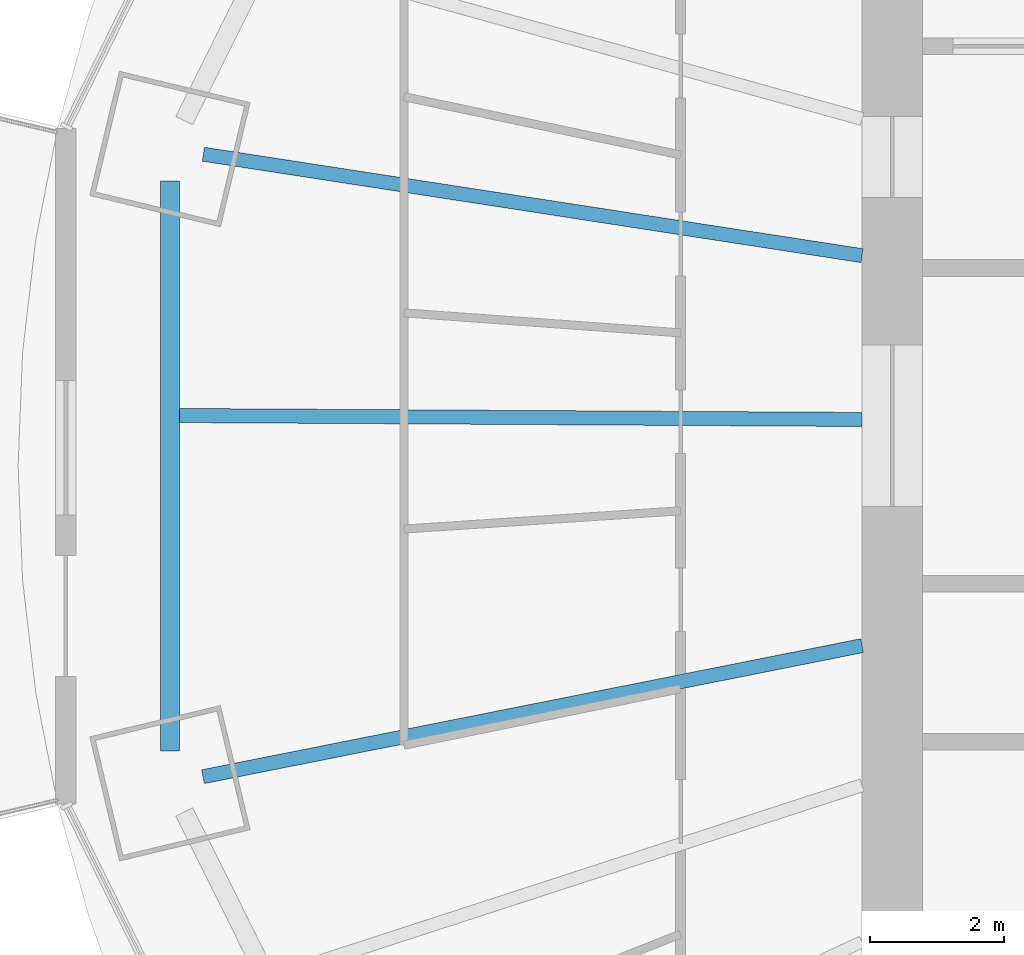
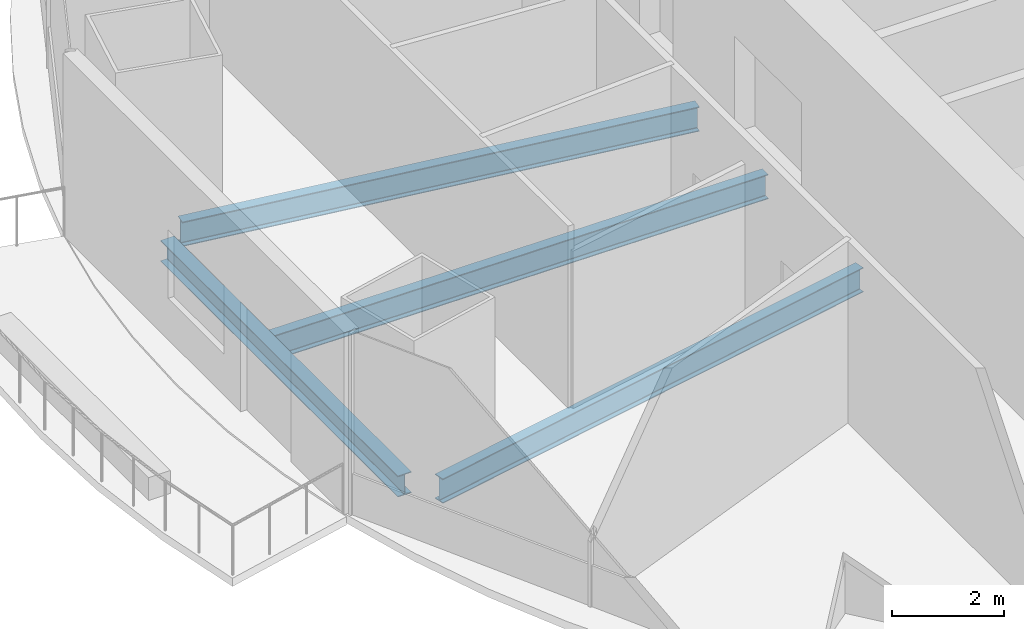
# One storey, part 3 of 19: 4 beams.
"""IFC4 building model written with IfcOpenShell, lengths in metres."""

from ifc_helpers import new_model, si_unit, direction, frame, origin, origin_2d, place, context, subcontext, project, spatial, i_section, extrude, material, material_profile, profile_set, type_object, element, save


model = new_model("IFC4")

# Units and contexts
model_context = context("Model", 3, precision=1e-05, world=origin(), true_north=direction((0.0, 1.0)))
body_context = subcontext(model_context, "Body", "Model", "MODEL_VIEW")
ifc_project = project(units=[si_unit("LENGTHUNIT", "METRE"), si_unit("AREAUNIT", "SQUARE_METRE"), si_unit("VOLUMEUNIT", "CUBIC_METRE"), si_unit("PLANEANGLEUNIT", "RADIAN"), si_unit("MASSUNIT", "GRAM", prefix="KILO")], contexts=[model_context])

# Site, building, storey
site_placement = place(None, origin())
site = spatial("IfcSite", under=ifc_project, at=site_placement, CompositionType="ELEMENT")
building_placement = place(site_placement, origin())
building = spatial("IfcBuilding", under=site, at=building_placement, Name="Marenthal Gate Tower", CompositionType="ELEMENT")
storey_placement = place(building_placement, frame((0.0, 0.0, 223.300048828125)))
storey = spatial("IfcBuildingStorey", under=building, at=storey_placement, Name="L49", CompositionType="ELEMENT", Elevation=223.300048828125)

# Beams
ifc_material_1 = material(Name="Steel S355", Category="steel")
ifc_material_profile_1 = material_profile(ifc_material_1, i_section(OverallWidth=0.279052734375, OverallDepth=0.4619140625, WebThickness=0.0107421875, FlangeThickness=0.017333984375, FilletRadius=0.010009765625, at=origin_2d()), Name="W460X113")
ifc_profile_set_1 = profile_set([ifc_material_profile_1], Name="Steel S355")
beam_type_1 = type_object("IfcBeamType", Name="W460X113 beam", PredefinedType="BEAM", material=ifc_profile_set_1)
beam_1_placement = place(storey_placement, frame((-26.748779296875, 3.6416015625, -0.4111328125), z_axis=(0.0, -1.0, 0.0), x_axis=(1.0, 0.0, 0.0)))
element("IfcBeam", 1, at=beam_1_placement, inside=storey, type_object=beam_type_1, Name="BM-L49-48", PredefinedType="BEAM", context=body_context, shape_type="SweptSolid", body=[
    extrude(i_section(OverallWidth=0.279052734375, OverallDepth=0.4619140625, WebThickness=0.0107421875, FlangeThickness=0.017333984375, FilletRadius=0.010009765625, at=origin_2d()), origin(), (0.0, 0.0, 1.0), 8.483154296875),
])
ifc_material_2 = material(Name="Steel S355", Category="steel")
ifc_material_profile_2 = material_profile(ifc_material_2, i_section(OverallWidth=0.2099609375, OverallDepth=0.535888671875, WebThickness=0.010986328125, FlangeThickness=0.017333984375, FilletRadius=0.0126953125, at=origin_2d()), Name="W530X101")
ifc_profile_set_2 = profile_set([ifc_material_profile_2], Name="Steel S355")
beam_type_2 = type_object("IfcBeamType", Name="W530X101 beam", PredefinedType="BEAM", material=ifc_profile_set_2)
beam_2_placement = place(storey_placement, frame((-26.251220703125, 4.041748046875, -0.447998046875), z_axis=(0.988354329833, -0.1521700322, 0.0), x_axis=(0.1521700322, 0.988354329833, 0.0)))
element("IfcBeam", 2, at=beam_2_placement, inside=storey, type_object=beam_type_2, Name="BM-L49-08", PredefinedType="BEAM", context=body_context, shape_type="SweptSolid", body=[
    extrude(i_section(OverallWidth=0.2099609375, OverallDepth=0.535888671875, WebThickness=0.010986328125, FlangeThickness=0.017333984375, FilletRadius=0.0126953125, at=origin_2d()), origin(), (0.0, 0.0, 1.0), 9.916748046875),
])
beam_3_placement = place(storey_placement, frame((-26.257568359375, -5.220703125, -0.447998046875), z_axis=(0.980802597153, 0.195003244635, 0.0), x_axis=(-0.195003244635, 0.980802597153, 0.0)))
element("IfcBeam", 3, at=beam_3_placement, inside=storey, type_object=beam_type_2, Name="BM-L49-09", PredefinedType="BEAM", context=body_context, shape_type="SweptSolid", body=[
    extrude(i_section(OverallWidth=0.2099609375, OverallDepth=0.535888671875, WebThickness=0.010986328125, FlangeThickness=0.017333984375, FilletRadius=0.0126953125, at=origin_2d()), origin(), (0.0, 0.0, 1.0), 9.99951171875),
])
beam_4_placement = place(storey_placement, frame((-26.609130859375, 0.154052734375, -0.447998046875), z_axis=(0.999983229115, -0.005791501447, 0.0), x_axis=(0.005791501447, 0.999983229115, 0.0)))
element("IfcBeam", 4, at=beam_4_placement, inside=storey, type_object=beam_type_2, Name="BM-L49-28", PredefinedType="BEAM", context=body_context, shape_type="SweptSolid", body=[
    extrude(i_section(OverallWidth=0.2099609375, OverallDepth=0.535888671875, WebThickness=0.010986328125, FlangeThickness=0.017333984375, FilletRadius=0.0126953125, at=origin_2d()), origin(), (0.0, 0.0, 1.0), 10.159423828125),
])

save(model, "model.ifc")
